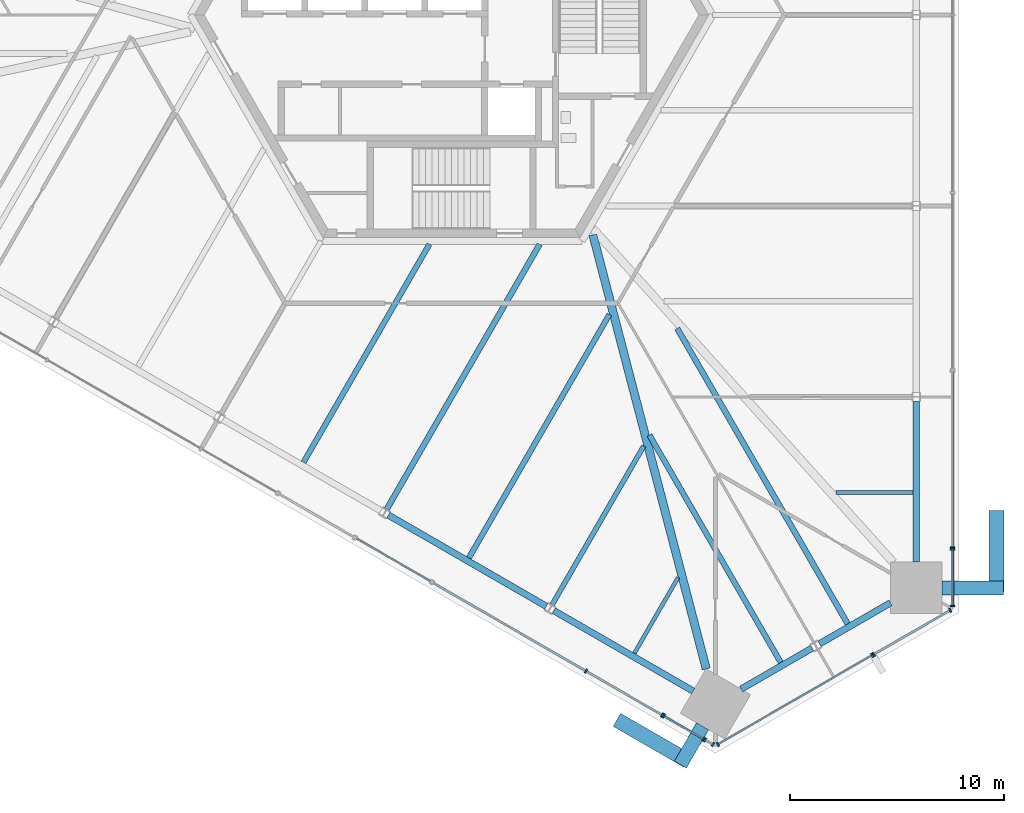
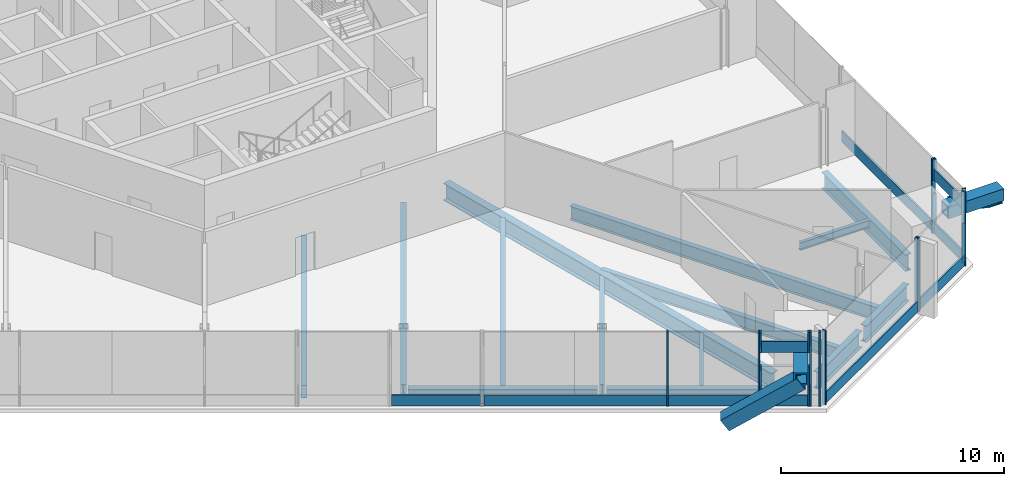
# One storey, part 4 of 22: 31 members, 14 beams, 10 elements without a shape of their own.
"""IFC4 building model written with IfcOpenShell, lengths in metres."""

from ifc_helpers import new_model, si_unit, direction, frame, origin, origin_2d, place, context, subcontext, project, spatial, rectangle, hollow_rectangle, i_section, extrude, source, transform, mapped, material, material_profile, profile_set, type_object, element, aggregate, save


model = new_model("IFC4")

# Units and contexts
model_context = context("Model", 3, precision=1e-05, world=origin(), true_north=direction((0.0, 1.0)))
body_context = subcontext(model_context, "Body", "Model", "MODEL_VIEW")
ifc_project = project(units=[si_unit("LENGTHUNIT", "METRE"), si_unit("AREAUNIT", "SQUARE_METRE"), si_unit("VOLUMEUNIT", "CUBIC_METRE"), si_unit("PLANEANGLEUNIT", "RADIAN"), si_unit("MASSUNIT", "GRAM", prefix="KILO")], contexts=[model_context])

# Site, building, storey
site_placement = place(None, origin())
site = spatial("IfcSite", under=ifc_project, at=site_placement, CompositionType="ELEMENT")
building_placement = place(site_placement, origin())
building = spatial("IfcBuilding", under=site, at=building_placement, Name="Triune Harvest Tower", CompositionType="ELEMENT")
storey_placement = place(building_placement, frame((0.0, 0.0, 50.39990234375)))
storey = spatial("IfcBuildingStorey", under=building, at=storey_placement, Name="L11", CompositionType="ELEMENT", Elevation=50.39990234375)

# Curtain wall, member
ifc_material_1 = material(Name="Aluminium bronze anodised", Category="aluminium")
curtain_wall_type_1 = type_object("IfcCurtainWallType", Name="CW-8 Farm floor curtain wall with insulated spandrel infill", PredefinedType="NOTDEFINED", material=ifc_material_1)
curtain_wall_1_placement = place(storey_placement, origin())
curtain_wall_1 = element("IfcCurtainWall", 1, at=curtain_wall_1_placement, inside=storey, type_object=curtain_wall_type_1, Name="CW-8 B1-F1 L11 run 201")
ifc_material_2 = material(Name="Aluminium bronze anodised", Category="aluminium")
ifc_material_profile_1 = material_profile(ifc_material_2, rectangle(XDim=0.090087890625, YDim=0.60009765625, at=origin_2d()), Name="TR-3 transom 90 x 600")
ifc_profile_set_1 = profile_set([ifc_material_profile_1], Name="Aluminium bronze anodised")
member_type_1 = type_object("IfcMemberType", Name="TR-3 transom 90 x 600", PredefinedType="USERDEFINED", material=ifc_profile_set_1)
member_1_placement = place(storey_placement, frame((23.371337890625, -24.801513671875, 0.300048828125), z_axis=(0.0, 1.0, 0.0), x_axis=(-1.0, 0.0, 0.0)))
member_1 = element("IfcMember", 2, at=member_1_placement, type_object=member_type_1, Name="CW-8 transom B1-F1 201.1", ObjectType="TRANSOM", PredefinedType="USERDEFINED", context=body_context, shape_type="SweptSolid", body=[
    extrude(rectangle(XDim=0.090087890625, YDim=0.60009765625, at=origin_2d()), origin(), (0.0, 0.0, 1.0), 8.134033203125),
])

# Beams
ifc_material_3 = material(Name="Steel ASTM A992 Gr 50", Category="steel")
ifc_material_profile_2 = material_profile(ifc_material_3, i_section(OverallWidth=0.383544921875, OverallDepth=0.9423828125, WebThickness=0.022216796875, FlangeThickness=0.039794921875, at=origin_2d()), Name="W36x232")
ifc_profile_set_2 = profile_set([ifc_material_profile_2], Name="Steel ASTM A992 Gr 50")
beam_type_1 = type_object("IfcBeamType", Name="HG-1 Hip girder W36x232", PredefinedType="BEAM", material=ifc_profile_set_2)
shared_shape_1 = source(origin(), body_context, "Body", "SweptSolid", [
    extrude(i_section(OverallWidth=0.383544921875, OverallDepth=0.9423828125, WebThickness=0.022216796875, FlangeThickness=0.039794921875, at=origin_2d()), origin(), (0.0, 0.0, 1.0), 20.931884765625),
])
beam_1_placement = place(storey_placement, frame((11.8828125, -30.50830078125, -0.671142578125), z_axis=(-0.252690148393, 0.967547254094, 0.0), x_axis=(-0.967547254094, -0.252690148393, 0.0)))
element("IfcBeam", 3, at=beam_1_placement, inside=storey, type_object=beam_type_1, Name="beam/L11/HG6", PredefinedType="BEAM", context=body_context, shape_type="MappedRepresentation", body=[
    mapped(shared_shape_1, transform((0.0, 0.0, 0.0), scale=1.0)),
])
ifc_material_4 = material(Name="Steel ASTM A992 Gr 50", Category="steel")
ifc_material_profile_3 = material_profile(ifc_material_4, i_section(OverallWidth=0.2666015625, OverallDepth=0.7568359375, WebThickness=0.013916015625, FlangeThickness=0.019287109375, at=origin_2d()), Name="W30x108")
ifc_profile_set_3 = profile_set([ifc_material_profile_3], Name="Steel ASTM A992 Gr 50")
beam_type_2 = type_object("IfcBeamType", Name="JT-5 Floor joist W30x108", PredefinedType="JOIST", material=ifc_profile_set_3)
shared_shape_2 = source(origin(), body_context, "Body", "SweptSolid", [
    extrude(i_section(OverallWidth=0.2666015625, OverallDepth=0.7568359375, WebThickness=0.013916015625, FlangeThickness=0.019287109375, at=origin_2d()), origin(), (0.0, 0.0, 1.0), 14.2685546875),
])
beam_2_placement = place(storey_placement, frame((-3.02197265625, -23.053955078125, -0.578369140625), z_axis=(0.499999916269, 0.866025452127, 0.0), x_axis=(-0.866025452127, 0.499999916269, 0.0)))
element("IfcBeam", 4, at=beam_2_placement, inside=storey, type_object=beam_type_2, Name="beam/L11/JT34", PredefinedType="JOIST", context=body_context, shape_type="MappedRepresentation", body=[
    mapped(shared_shape_2, transform((0.0, 0.0, 0.0), scale=1.0)),
])
ifc_material_5 = material(Name="Steel ASTM A992 Gr 50", Category="steel")
ifc_material_profile_4 = material_profile(ifc_material_5, i_section(OverallWidth=0.22900390625, OverallDepth=0.612060546875, WebThickness=0.011962890625, FlangeThickness=0.01953125, at=origin_2d()), Name="W24x84")
ifc_profile_set_4 = profile_set([ifc_material_profile_4], Name="Steel ASTM A992 Gr 50")
beam_type_3 = type_object("IfcBeamType", Name="JT-3 Floor joist W24x84", PredefinedType="JOIST", material=ifc_profile_set_4)
shared_shape_3 = source(origin(), body_context, "Body", "SweptSolid", [
    extrude(i_section(OverallWidth=0.22900390625, OverallDepth=0.612060546875, WebThickness=0.011962890625, FlangeThickness=0.01953125, at=origin_2d()), origin(), (0.0, 0.0, 1.0), 8.54736328125),
])
beam_3_placement = place(storey_placement, frame((4.6943359375, -27.509033203125, -0.506103515625), z_axis=(0.499994426748, 0.866028621479, 0.0), x_axis=(-0.866028621479, 0.499994426748, 0.0)))
element("IfcBeam", 5, at=beam_3_placement, inside=storey, type_object=beam_type_3, Name="beam/L11/JT36", PredefinedType="JOIST", context=body_context, shape_type="MappedRepresentation", body=[
    mapped(shared_shape_3, transform((0.0, 0.0, 0.0), scale=1.0)),
])
ifc_material_6 = material(Name="Steel ASTM A992 Gr 50", Category="steel")
ifc_material_profile_5 = material_profile(ifc_material_6, i_section(OverallWidth=0.3046875, OverallDepth=0.914306640625, WebThickness=0.0166015625, FlangeThickness=0.02587890625, at=origin_2d()), Name="W36x160")
ifc_profile_set_5 = profile_set([ifc_material_profile_5], Name="Steel ASTM A992 Gr 50")
beam_type_4 = type_object("IfcBeamType", Name="SB-1 Spandrel beam W36x160", PredefinedType="SPANDREL", material=ifc_profile_set_5)
shared_shape_4 = source(origin(), body_context, "Body", "SweptSolid", [
    extrude(i_section(OverallWidth=0.3046875, OverallDepth=0.914306640625, WebThickness=0.0166015625, FlangeThickness=0.02587890625, at=origin_2d()), origin(), (0.0, 0.0, 1.0), 7.508056640625),
])
beam_4_placement = place(storey_placement, frame((21.679443359375, -25.530029296875, -0.656982421875), z_axis=(0.0, 1.0, 0.0), x_axis=(-1.0, 0.0, 0.0)))
element("IfcBeam", 6, at=beam_4_placement, inside=storey, type_object=beam_type_4, Name="beam/L11/SB1", PredefinedType="SPANDREL", context=body_context, shape_type="MappedRepresentation", body=[
    mapped(shared_shape_4, transform((0.0, 0.0, 0.0), scale=1.0)),
])
shared_shape_5 = source(origin(), body_context, "Body", "SweptSolid", [
    extrude(i_section(OverallWidth=0.3046875, OverallDepth=0.914306640625, WebThickness=0.0166015625, FlangeThickness=0.02587890625, at=origin_2d()), origin(), (0.0, 0.0, 1.0), 8.506103515625),
])
beam_5_placement = place(storey_placement, frame((-2.948486328125, -23.3310546875, -0.656982421875), z_axis=(0.866030246746, -0.49999161165, 0.0), x_axis=(0.49999161165, 0.866030246746, 0.0)))
element("IfcBeam", 7, at=beam_5_placement, inside=storey, type_object=beam_type_4, Name="beam/L11/SB21", PredefinedType="SPANDREL", context=body_context, shape_type="MappedRepresentation", body=[
    mapped(shared_shape_5, transform((0.0, 0.0, 0.0), scale=1.0)),
])
shared_shape_6 = source(origin(), body_context, "Body", "SweptSolid", [
    extrude(i_section(OverallWidth=0.3046875, OverallDepth=0.914306640625, WebThickness=0.0166015625, FlangeThickness=0.02587890625, at=origin_2d()), origin(), (0.0, 0.0, 1.0), 3.822265625),
])
beam_6_placement = place(storey_placement, frame((17.169189453125, -29.333984375, -0.656982421875), z_axis=(0.866033487859, 0.499985997711, 0.0), x_axis=(-0.499985997711, 0.866033487859, 0.0)))
element("IfcBeam", 8, at=beam_6_placement, inside=storey, type_object=beam_type_4, Name="beam/L11/SB24", PredefinedType="SPANDREL", context=body_context, shape_type="MappedRepresentation", body=[
    mapped(shared_shape_6, transform((0.0, 0.0, 0.0), scale=1.0)),
])
shared_shape_7 = source(origin(), body_context, "Body", "SweptSolid", [
    extrude(i_section(OverallWidth=0.3046875, OverallDepth=0.914306640625, WebThickness=0.0166015625, FlangeThickness=0.02587890625, at=origin_2d()), origin(), (0.0, 0.0, 1.0), 3.822509765625),
])
beam_7_placement = place(storey_placement, frame((13.509033203125, -31.447265625, -0.656982421875), z_axis=(0.866005830769, 0.500033899925, 0.0), x_axis=(-0.500033899925, 0.866005830769, 0.0)))
element("IfcBeam", 9, at=beam_7_placement, inside=storey, type_object=beam_type_4, Name="beam/L11/SB23", PredefinedType="SPANDREL", context=body_context, shape_type="MappedRepresentation", body=[
    mapped(shared_shape_7, transform((0.0, 0.0, 0.0), scale=1.0)),
])
shared_shape_8 = source(origin(), body_context, "Body", "SweptSolid", [
    extrude(i_section(OverallWidth=0.3046875, OverallDepth=0.914306640625, WebThickness=0.0166015625, FlangeThickness=0.02587890625, at=origin_2d()), origin(), (0.0, 0.0, 1.0), 7.50830078125),
])
beam_8_placement = place(storey_placement, frame((4.767578125, -27.785888671875, -0.656982421875), z_axis=(0.866027474485, -0.499996413425, 0.0), x_axis=(0.499996413425, 0.866027474485, 0.0)))
element("IfcBeam", 10, at=beam_8_placement, inside=storey, type_object=beam_type_4, Name="beam/L11/SB22", PredefinedType="SPANDREL", context=body_context, shape_type="MappedRepresentation", body=[
    mapped(shared_shape_8, transform((0.0, 0.0, 0.0), scale=1.0)),
])
ifc_material_7 = material(Name="Steel ASTM A992 Gr 50", Category="steel")
ifc_material_profile_6 = material_profile(ifc_material_7, i_section(OverallWidth=0.180908203125, OverallDepth=0.41650390625, WebThickness=0.010986328125, FlangeThickness=0.01806640625, at=origin_2d()), Name="W16x57")
ifc_profile_set_6 = profile_set([ifc_material_profile_6], Name="Steel ASTM A992 Gr 50")
beam_type_5 = type_object("IfcBeamType", Name="JT-1 Floor joist W16x57", PredefinedType="JOIST", material=ifc_profile_set_6)
shared_shape_9 = source(origin(), body_context, "Body", "SweptSolid", [
    extrude(i_section(OverallWidth=0.180908203125, OverallDepth=0.41650390625, WebThickness=0.010986328125, FlangeThickness=0.01806640625, at=origin_2d()), origin(), (0.0, 0.0, 1.0), 3.599365234375),
])
beam_9_placement = place(storey_placement, frame((21.527099609375, -22.27490234375, -0.408203125), z_axis=(-1.0, 0.0, 0.0), x_axis=(0.0, -1.0, 0.0)))
element("IfcBeam", 11, at=beam_9_placement, inside=storey, type_object=beam_type_5, Name="beam/L11/JT1", PredefinedType="JOIST", context=body_context, shape_type="MappedRepresentation", body=[
    mapped(shared_shape_9, transform((0.0, 0.0, 0.0), scale=1.0)),
])
ifc_material_8 = material(Name="Steel ASTM A992 Gr 50", Category="steel")
ifc_material_profile_7 = material_profile(ifc_material_8, i_section(OverallWidth=0.253662109375, OverallDepth=0.683349609375, WebThickness=0.012451171875, FlangeThickness=0.01904296875, at=origin_2d()), Name="W27x94")
ifc_profile_set_7 = profile_set([ifc_material_profile_7], Name="Steel ASTM A992 Gr 50")
beam_type_6 = type_object("IfcBeamType", Name="JT-4 Floor joist W27x94", PredefinedType="JOIST", material=ifc_profile_set_7)
shared_shape_10 = source(origin(), body_context, "Body", "SweptSolid", [
    extrude(i_section(OverallWidth=0.253662109375, OverallDepth=0.683349609375, WebThickness=0.012451171875, FlangeThickness=0.01904296875, at=origin_2d()), origin(), (0.0, 0.0, 1.0), 13.110107421875),
])
beam_10_placement = place(storey_placement, frame((0.810791015625, -25.325439453125, -0.54150390625), z_axis=(0.500012613137, 0.866018121464, 0.0), x_axis=(-0.866018121464, 0.500012613137, 0.0)))
element("IfcBeam", 12, at=beam_10_placement, inside=storey, type_object=beam_type_6, Name="beam/L11/JT35", PredefinedType="JOIST", context=body_context, shape_type="MappedRepresentation", body=[
    mapped(shared_shape_10, transform((0.0, 0.0, 0.0), scale=1.0)),
])
shared_shape_11 = source(origin(), body_context, "Body", "SweptSolid", [
    extrude(i_section(OverallWidth=0.180908203125, OverallDepth=0.41650390625, WebThickness=0.010986328125, FlangeThickness=0.01806640625, at=origin_2d()), origin(), (0.0, 0.0, 1.0), 4.08642578125),
])
beam_11_placement = place(storey_placement, frame((8.527099609375, -29.780517578125, -0.408203125), z_axis=(0.500013794443, 0.866017439413, 0.0), x_axis=(-0.866017439413, 0.500013794443, 0.0)))
element("IfcBeam", 13, at=beam_11_placement, inside=storey, type_object=beam_type_5, Name="beam/L11/JT37", PredefinedType="JOIST", context=body_context, shape_type="MappedRepresentation", body=[
    mapped(shared_shape_11, transform((0.0, 0.0, 0.0), scale=1.0)),
])
shared_shape_12 = source(origin(), body_context, "Body", "SweptSolid", [
    extrude(i_section(OverallWidth=0.253662109375, OverallDepth=0.683349609375, WebThickness=0.012451171875, FlangeThickness=0.01904296875, at=origin_2d()), origin(), (0.0, 0.0, 1.0), 12.2509765625),
])
beam_12_placement = place(storey_placement, frame((15.3564453125, -30.20458984375, -0.54150390625), z_axis=(-0.500001335473, 0.866024632748, 0.0), x_axis=(-0.866024632748, -0.500001335473, 0.0)))
element("IfcBeam", 14, at=beam_12_placement, inside=storey, type_object=beam_type_6, Name="beam/L11/JT38", PredefinedType="JOIST", context=body_context, shape_type="MappedRepresentation", body=[
    mapped(shared_shape_12, transform((0.0, 0.0, 0.0), scale=1.0)),
])
shared_shape_13 = source(origin(), body_context, "Body", "SweptSolid", [
    extrude(i_section(OverallWidth=0.2666015625, OverallDepth=0.7568359375, WebThickness=0.013916015625, FlangeThickness=0.019287109375, at=origin_2d()), origin(), (0.0, 0.0, 1.0), 15.90771484375),
])
beam_13_placement = place(storey_placement, frame((18.479736328125, -28.4013671875, -0.578369140625), z_axis=(-0.499996565981, 0.866027386407, 0.0), x_axis=(-0.866027386407, -0.499996565981, 0.0)))
element("IfcBeam", 15, at=beam_13_placement, inside=storey, type_object=beam_type_2, Name="beam/L11/JT39", PredefinedType="JOIST", context=body_context, shape_type="MappedRepresentation", body=[
    mapped(shared_shape_13, transform((0.0, 0.0, 0.0), scale=1.0)),
])
shared_shape_14 = source(origin(), body_context, "Body", "SweptSolid", [
    extrude(i_section(OverallWidth=0.253662109375, OverallDepth=0.683349609375, WebThickness=0.012451171875, FlangeThickness=0.01904296875, at=origin_2d()), origin(), (0.0, 0.0, 1.0), 11.74755859375),
])
beam_14_placement = place(storey_placement, frame((-6.905517578125, -20.87060546875, -0.54150390625), z_axis=(0.500003693016, 0.86602327161, 0.0), x_axis=(-0.86602327161, 0.500003693016, 0.0)))
element("IfcBeam", 16, at=beam_14_placement, inside=storey, type_object=beam_type_6, Name="beam/L11/JT33", PredefinedType="JOIST", context=body_context, shape_type="MappedRepresentation", body=[
    mapped(shared_shape_14, transform((0.0, 0.0, 0.0), scale=1.0)),
])

# Members
ifc_material_9 = material(Name="Steel ASTM A572 Gr 50", Category="steel")
ifc_material_profile_8 = material_profile(ifc_material_9, hollow_rectangle(XDim=0.699951171875, YDim=0.699951171875, WallThickness=0.0400390625, at=origin_2d()), Name="Box 700x700x40")
ifc_profile_set_8 = profile_set([ifc_material_profile_8], Name="Steel ASTM A572 Gr 50")
member_type_2 = type_object("IfcMemberType", Name="BR-1 Brace Box 700x700x40", PredefinedType="BRACE", material=ifc_profile_set_8)
shared_shape_15 = source(origin(), body_context, "Body", "SweptSolid", [
    extrude(hollow_rectangle(XDim=0.699951171875, YDim=0.699951171875, WallThickness=0.0400390625, at=origin_2d()), origin(), (0.0, 0.0, 1.0), 4.109375),
])
for number, where, z_axis, x_axis, name in (
    (17, (25.42138671875, -23.3154296875, 0.0), (0.0, -0.830924343652, 0.556385419584), (1.0, 0.0, 0.0), "brace/B1-F1/d2/9"),
    (18, (7.881103515625, -32.98046875, 0.0), (0.719594964272, -0.415466280148, 0.556390921434), (0.500007161152, 0.866021269252, 0.0), "brace/B1-F5/d1/9"),
):
    element("IfcMember", number, at=place(storey_placement, frame(where, z_axis=z_axis, x_axis=x_axis)), inside=storey, type_object=member_type_2, Name=name, PredefinedType="BRACE", context=body_context, shape_type="MappedRepresentation", body=[
        mapped(shared_shape_15, transform((0.0, 0.0, 0.0), scale=1.0)),
    ])
ifc_material_10 = material(Name="Steel ASTM A572 Gr 50", Category="steel")
ifc_material_profile_9 = material_profile(ifc_material_10, hollow_rectangle(XDim=0.64990234375, YDim=0.64990234375, WallThickness=0.070068359375, at=origin_2d()), Name="Box 650x650x70")
ifc_profile_set_9 = profile_set([ifc_material_profile_9], Name="Steel ASTM A572 Gr 50")
member_type_3 = type_object("IfcMemberType", Name="BS-1 Brace stub Box 650x650x70", PredefinedType="STRUT", material=ifc_profile_set_9)
shared_shape_16 = source(origin(), body_context, "Body", "SweptSolid", [
    extrude(hollow_rectangle(XDim=0.64990234375, YDim=0.64990234375, WallThickness=0.070068359375, at=origin_2d()), origin(), (0.0, 0.0, 1.0), 2.8720703125),
])
member_2_placement = place(storey_placement, frame((22.87939453125, -26.72998046875, 2.550048828125), z_axis=(1.0, 0.0, 0.0), x_axis=(0.0, 1.0, 0.0)))
element("IfcMember", 19, at=member_2_placement, inside=storey, type_object=member_type_3, Name="brace/B1-F1/stub4", PredefinedType="STRUT", context=body_context, shape_type="MappedRepresentation", body=[
    mapped(shared_shape_16, transform((0.0, 0.0, 0.0), scale=1.0)),
])
shared_shape_17 = source(origin(), body_context, "Body", "SweptSolid", [
    extrude(hollow_rectangle(XDim=0.64990234375, YDim=0.64990234375, WallThickness=0.070068359375, at=origin_2d()), origin(), (0.0, 0.0, 1.0), 2.07177734375),
])
member_3_placement = place(storey_placement, frame((11.708984375, -33.17919921875, 2.550048828125), z_axis=(-0.500004672885, -0.866022705876, 0.0), x_axis=(0.866022705876, -0.500004672885, 0.0)))
element("IfcMember", 20, at=member_3_placement, inside=storey, type_object=member_type_3, Name="brace/B1-F5/stub2", PredefinedType="STRUT", context=body_context, shape_type="MappedRepresentation", body=[
    mapped(shared_shape_17, transform((0.0, 0.0, 0.0), scale=1.0)),
])

# Curtain wall, member
curtain_wall_2_placement = place(storey_placement, origin())
curtain_wall_2 = element("IfcCurtainWall", 21, at=curtain_wall_2_placement, inside=storey, type_object=curtain_wall_type_1, Name="CW-8 B1-F6 L11 run 1001")
shared_shape_18 = source(origin(), body_context, "Body", "SweptSolid", [
    extrude(rectangle(XDim=0.090087890625, YDim=0.60009765625, at=origin_2d()), origin(), (0.0, 0.0, 1.0), 4.037841796875),
])
member_4_placement = place(storey_placement, frame((19.727294921875, -29.810791015625, 0.300048828125), z_axis=(0.866009377985, 0.500027756471, 0.0), x_axis=(-0.500027756471, 0.866009377985, 0.0)))
member_4 = element("IfcMember", 22, at=member_4_placement, type_object=member_type_1, Name="CW-8 transom B1-F6 1001.1", ObjectType="TRANSOM", PredefinedType="USERDEFINED", context=body_context, shape_type="MappedRepresentation", body=[
    mapped(shared_shape_18, transform((0.0, 0.0, 0.0), scale=1.0)),
])

ifc_material_11 = material(Name="Aluminium bronze anodised", Category="aluminium")
curtain_wall_type_2 = type_object("IfcCurtainWallType", Name="CW-3 Farm floor curtain wall", PredefinedType="NOTDEFINED", material=ifc_material_11)
curtain_wall_3_placement = place(storey_placement, origin())
curtain_wall_3 = element("IfcCurtainWall", 23, at=curtain_wall_3_placement, inside=storey, type_object=curtain_wall_type_2, Name="CW-3 B1-F6 L11 run 1")
shared_shape_19 = source(origin(), body_context, "Body", "SweptSolid", [
    extrude(rectangle(XDim=0.090087890625, YDim=0.60009765625, at=origin_2d()), origin(), (0.0, 0.0, 1.0), 8.23583984375),
])
member_5_placement = place(storey_placement, frame((12.456298828125, -34.008544921875, 0.300048828125), z_axis=(0.866021691054, 0.500006430582, 0.0), x_axis=(-0.500006430582, 0.866021691054, 0.0)))
member_5 = element("IfcMember", 24, at=member_5_placement, type_object=member_type_1, Name="CW-3 transom B1-F6 1.1", ObjectType="TRANSOM", PredefinedType="USERDEFINED", context=body_context, shape_type="MappedRepresentation", body=[
    mapped(shared_shape_19, transform((0.0, 0.0, 0.0), scale=1.0)),
])

# Curtain wall, members
curtain_wall_4_placement = place(storey_placement, origin())
curtain_wall_4 = element("IfcCurtainWall", 25, at=curtain_wall_4_placement, inside=storey, type_object=curtain_wall_type_1, Name="CW-8 B1-F1 L11 run 1")
ifc_material_12 = material(Name="Aluminium bronze anodised", Category="aluminium")
ifc_material_profile_10 = material_profile(ifc_material_12, rectangle(XDim=0.199951171875, YDim=0.080078125, at=origin_2d()), Name="MU-3 mullion 80 x 200")
ifc_profile_set_10 = profile_set([ifc_material_profile_10], Name="Aluminium bronze anodised")
member_type_4 = type_object("IfcMemberType", Name="MU-3 mullion 80 x 200", PredefinedType="MULLION", material=ifc_profile_set_10)
shared_shape_20 = source(origin(), body_context, "Body", "SweptSolid", [
    extrude(rectangle(XDim=0.199951171875, YDim=0.080078125, at=origin_2d()), origin(), (0.0, 0.0, 1.0), 2.1650390625),
])
member_6_placement = place(storey_placement, frame((23.371337890625, -27.576904296875, 0.0), z_axis=(0.0, 0.0, 1.0), x_axis=(-1.0, 0.0, 0.0)))
member_6 = element("IfcMember", 26, at=member_6_placement, type_object=member_type_4, Name="CW-8 mullion B1-F1 1.1", PredefinedType="MULLION", context=body_context, shape_type="MappedRepresentation", body=[
    mapped(shared_shape_20, transform((0.0, 0.0, 0.0), scale=1.0)),
])
member_7_placement = place(storey_placement, frame((23.371337890625, -24.92138671875, 0.0), z_axis=(0.0, 0.0, 1.0), x_axis=(-1.0, 0.0, 0.0)))
member_7 = element("IfcMember", 27, at=member_7_placement, type_object=member_type_4, Name="CW-8 mullion B1-F1 1.2", PredefinedType="MULLION", context=body_context, shape_type="MappedRepresentation", body=[
    mapped(shared_shape_20, transform((0.0, 0.0, 0.0), scale=1.0)),
])

curtain_wall_5_placement = place(storey_placement, origin())
curtain_wall_5 = element("IfcCurtainWall", 28, at=curtain_wall_5_placement, inside=storey, type_object=curtain_wall_type_1, Name="CW-8 B1-F5 L11 run 401")
member_8_placement = place(storey_placement, frame((9.896728515625, -32.700927734375, 0.0), z_axis=(0.0, 0.0, 1.0), x_axis=(0.499991148709, 0.86603051402, 0.0)))
member_8 = element("IfcMember", 29, at=member_8_placement, type_object=member_type_4, Name="CW-8 mullion B1-F5 401.1", PredefinedType="MULLION", context=body_context, shape_type="MappedRepresentation", body=[
    mapped(shared_shape_20, transform((0.0, 0.0, 0.0), scale=1.0)),
])
member_9_placement = place(storey_placement, frame((11.761962890625, -33.777587890625, 0.0), z_axis=(0.0, 0.0, 1.0), x_axis=(0.499991148709, 0.86603051402, 0.0)))
member_9 = element("IfcMember", 30, at=member_9_placement, type_object=member_type_4, Name="CW-8 mullion B1-F5 401.2", PredefinedType="MULLION", context=body_context, shape_type="MappedRepresentation", body=[
    mapped(shared_shape_20, transform((0.0, 0.0, 0.0), scale=1.0)),
])

# Member
shared_shape_21 = source(origin(), body_context, "Body", "SweptSolid", [
    extrude(rectangle(XDim=0.090087890625, YDim=0.60009765625, at=origin_2d()), origin(), (0.0, 0.0, 1.0), 2.575439453125),
])
member_10_placement = place(storey_placement, frame((23.371337890625, -27.536865234375, 0.300048828125), z_axis=(0.0, 1.0, 0.0), x_axis=(-1.0, 0.0, 0.0)))
member_10 = element("IfcMember", 31, at=member_10_placement, type_object=member_type_1, Name="CW-8 transom B1-F1 1.1", ObjectType="TRANSOM", PredefinedType="USERDEFINED", context=body_context, shape_type="MappedRepresentation", body=[
    mapped(shared_shape_21, transform((0.0, 0.0, 0.0), scale=1.0)),
])

aggregate(curtain_wall_4, [member_6, member_7, member_10])

# Curtain wall, members
curtain_wall_6_placement = place(storey_placement, origin())
curtain_wall_6 = element("IfcCurtainWall", 32, at=curtain_wall_6_placement, inside=storey, type_object=curtain_wall_type_2, Name="CW-3 B1-F1 L11 run 101")
member_11_placement = place(storey_placement, frame((23.371337890625, -27.536865234375, 3.235107421875), z_axis=(0.0, 1.0, 0.0), x_axis=(-1.0, 0.0, 0.0)))
member_11 = element("IfcMember", 33, at=member_11_placement, type_object=member_type_1, Name="CW-3 transom B1-F1 101.1", ObjectType="TRANSOM", PredefinedType="USERDEFINED", context=body_context, shape_type="MappedRepresentation", body=[
    mapped(shared_shape_21, transform((0.0, 0.0, 0.0), scale=1.0)),
])
shared_shape_22 = source(origin(), body_context, "Body", "SweptSolid", [
    extrude(rectangle(XDim=0.199951171875, YDim=0.080078125, at=origin_2d()), origin(), (0.0, 0.0, 1.0), 1.114990234375),
])
member_12_placement = place(storey_placement, frame((23.371337890625, -27.576904296875, 2.93505859375), z_axis=(0.0, 0.0, 1.0), x_axis=(-1.0, 0.0, 0.0)))
member_12 = element("IfcMember", 34, at=member_12_placement, type_object=member_type_4, Name="CW-3 mullion B1-F1 101.1", PredefinedType="MULLION", context=body_context, shape_type="MappedRepresentation", body=[
    mapped(shared_shape_22, transform((0.0, 0.0, 0.0), scale=1.0)),
])
member_13_placement = place(storey_placement, frame((23.371337890625, -24.92138671875, 2.93505859375), z_axis=(0.0, 0.0, 1.0), x_axis=(-1.0, 0.0, 0.0)))
member_13 = element("IfcMember", 35, at=member_13_placement, type_object=member_type_4, Name="CW-3 mullion B1-F1 101.2", PredefinedType="MULLION", context=body_context, shape_type="MappedRepresentation", body=[
    mapped(shared_shape_22, transform((0.0, 0.0, 0.0), scale=1.0)),
])
aggregate(curtain_wall_6, [member_12, member_13, member_11])

curtain_wall_7_placement = place(storey_placement, origin())
curtain_wall_7 = element("IfcCurtainWall", 36, at=curtain_wall_7_placement, inside=storey, type_object=curtain_wall_type_2, Name="CW-3 B1-F5 L11 run 501")
member_14_placement = place(storey_placement, frame((9.896728515625, -32.700927734375, 2.93505859375), z_axis=(0.0, 0.0, 1.0), x_axis=(0.499991148709, 0.86603051402, 0.0)))
member_14 = element("IfcMember", 37, at=member_14_placement, type_object=member_type_4, Name="CW-3 mullion B1-F5 501.1", PredefinedType="MULLION", context=body_context, shape_type="MappedRepresentation", body=[
    mapped(shared_shape_22, transform((0.0, 0.0, 0.0), scale=1.0)),
])
member_15_placement = place(storey_placement, frame((11.761962890625, -33.777587890625, 2.93505859375), z_axis=(0.0, 0.0, 1.0), x_axis=(0.499991148709, 0.86603051402, 0.0)))
member_15 = element("IfcMember", 38, at=member_15_placement, type_object=member_type_4, Name="CW-3 mullion B1-F5 501.2", PredefinedType="MULLION", context=body_context, shape_type="MappedRepresentation", body=[
    mapped(shared_shape_22, transform((0.0, 0.0, 0.0), scale=1.0)),
])

# Member
shared_shape_23 = source(origin(), body_context, "Body", "SweptSolid", [
    extrude(rectangle(XDim=0.199951171875, YDim=0.080078125, at=origin_2d()), origin(), (0.0, 0.0, 1.0), 4.050048828125),
])
member_16_placement = place(storey_placement, frame((23.371337890625, -24.84130859375, 0.0), z_axis=(0.0, 0.0, 1.0), x_axis=(-1.0, 0.0, 0.0)))
member_16 = element("IfcMember", 39, at=member_16_placement, type_object=member_type_4, Name="CW-8 mullion B1-F1 201.1", PredefinedType="MULLION", context=body_context, shape_type="MappedRepresentation", body=[
    mapped(shared_shape_23, transform((0.0, 0.0, 0.0), scale=1.0)),
])

aggregate(curtain_wall_1, [member_16, member_1])

# Curtain wall, members
curtain_wall_8_placement = place(storey_placement, origin())
curtain_wall_8 = element("IfcCurtainWall", 40, at=curtain_wall_8_placement, inside=storey, type_object=curtain_wall_type_1, Name="CW-8 B1-F5 L11 run 3301")
member_17_placement = place(storey_placement, frame((6.270751953125, -30.607421875, 0.0), z_axis=(0.0, 0.0, 1.0), x_axis=(0.500001700043, 0.866024422262, 0.0)))
member_17 = element("IfcMember", 41, at=member_17_placement, type_object=member_type_4, Name="CW-8 mullion B1-F5 3301.3", PredefinedType="MULLION", context=body_context, shape_type="MappedRepresentation", body=[
    mapped(shared_shape_23, transform((0.0, 0.0, 0.0), scale=1.0)),
])
member_18_placement = place(storey_placement, frame((9.82763671875, -32.660888671875, 0.0), z_axis=(0.0, 0.0, 1.0), x_axis=(0.500001700043, 0.866024422262, 0.0)))
member_18 = element("IfcMember", 42, at=member_18_placement, type_object=member_type_4, Name="CW-8 mullion B1-F5 3301.4", PredefinedType="MULLION", context=body_context, shape_type="MappedRepresentation", body=[
    mapped(shared_shape_23, transform((0.0, 0.0, 0.0), scale=1.0)),
])

curtain_wall_9_placement = place(storey_placement, origin())
curtain_wall_9 = element("IfcCurtainWall", 43, at=curtain_wall_9_placement, inside=storey, type_object=curtain_wall_type_2, Name="CW-3 B1-F5 L11 run 601")
member_19_placement = place(storey_placement, frame((11.831298828125, -33.817626953125, 0.0), z_axis=(0.0, 0.0, 1.0), x_axis=(0.499975448906, 0.866039577901, 0.0)))
member_19 = element("IfcMember", 44, at=member_19_placement, type_object=member_type_4, Name="CW-3 mullion B1-F5 601.1", PredefinedType="MULLION", context=body_context, shape_type="MappedRepresentation", body=[
    mapped(shared_shape_23, transform((0.0, 0.0, 0.0), scale=1.0)),
])
member_20_placement = place(storey_placement, frame((12.196533203125, -34.028564453125, 0.0), z_axis=(0.0, 0.0, 1.0), x_axis=(0.499975448906, 0.866039577901, 0.0)))
member_20 = element("IfcMember", 45, at=member_20_placement, type_object=member_type_4, Name="CW-3 mullion B1-F5 601.2", PredefinedType="MULLION", context=body_context, shape_type="MappedRepresentation", body=[
    mapped(shared_shape_23, transform((0.0, 0.0, 0.0), scale=1.0)),
])
aggregate(curtain_wall_9, [member_19, member_20])

# Member
member_21_placement = place(storey_placement, frame((12.421630859375, -34.028564453125, 0.0), z_axis=(0.0, 0.0, 1.0), x_axis=(-0.500000961283, 0.866024848787, 0.0)))
member_21 = element("IfcMember", 46, at=member_21_placement, type_object=member_type_4, Name="CW-3 mullion B1-F6 1.1", PredefinedType="MULLION", context=body_context, shape_type="MappedRepresentation", body=[
    mapped(shared_shape_23, transform((0.0, 0.0, 0.0), scale=1.0)),
])

member_22_placement = place(storey_placement, frame((19.623291015625, -29.87060546875, 0.0), z_axis=(0.0, 0.0, 1.0), x_axis=(-0.500000961283, 0.866024848787, 0.0)))
member_22 = element("IfcMember", 47, at=member_22_placement, type_object=member_type_4, Name="CW-3 mullion B1-F6 1.3", PredefinedType="MULLION", context=body_context, shape_type="MappedRepresentation", body=[
    mapped(shared_shape_23, transform((0.0, 0.0, 0.0), scale=1.0)),
])

aggregate(curtain_wall_3, [member_21, member_22, member_5])

member_23_placement = place(storey_placement, frame((19.692626953125, -29.830810546875, 0.0), z_axis=(0.0, 0.0, 1.0), x_axis=(-0.499994222841, 0.866028739203, 0.0)))
member_23 = element("IfcMember", 48, at=member_23_placement, type_object=member_type_4, Name="CW-8 mullion B1-F6 1001.1", PredefinedType="MULLION", context=body_context, shape_type="MappedRepresentation", body=[
    mapped(shared_shape_23, transform((0.0, 0.0, 0.0), scale=1.0)),
])

member_24_placement = place(storey_placement, frame((23.2587890625, -27.771728515625, 0.0), z_axis=(0.0, 0.0, 1.0), x_axis=(-0.499994222841, 0.866028739203, 0.0)))
member_24 = element("IfcMember", 49, at=member_24_placement, type_object=member_type_4, Name="CW-8 mullion B1-F6 1001.2", PredefinedType="MULLION", context=body_context, shape_type="MappedRepresentation", body=[
    mapped(shared_shape_23, transform((0.0, 0.0, 0.0), scale=1.0)),
])

aggregate(curtain_wall_2, [member_23, member_24, member_4])

shared_shape_24 = source(origin(), body_context, "Body", "SweptSolid", [
    extrude(rectangle(XDim=0.090087890625, YDim=0.60009765625, at=origin_2d()), origin(), (0.0, 0.0, 1.0), 8.173828125),
])
member_25_placement = place(storey_placement, frame((-0.842529296875, -26.50048828125, 0.300048828125), z_axis=(0.866028909405, -0.499993928037, 0.0), x_axis=(0.499993928037, 0.866028909405, 0.0)))
member_25 = element("IfcMember", 50, at=member_25_placement, type_object=member_type_1, Name="CW-8 transom B1-F5 3301.1", ObjectType="TRANSOM", PredefinedType="USERDEFINED", context=body_context, shape_type="MappedRepresentation", body=[
    mapped(shared_shape_24, transform((0.0, 0.0, 0.0), scale=1.0)),
])

# Curtain wall, member
curtain_wall_10_placement = place(storey_placement, origin())
curtain_wall_10 = element("IfcCurtainWall", 51, at=curtain_wall_10_placement, inside=storey, type_object=curtain_wall_type_2, Name="CW-3 B1-F5 L11 run 2301")
shared_shape_25 = source(origin(), body_context, "Body", "SweptSolid", [
    extrude(rectangle(XDim=0.090087890625, YDim=0.60009765625, at=origin_2d()), origin(), (0.0, 0.0, 1.0), 3.98681640625),
])
member_26_placement = place(storey_placement, frame((-4.433837890625, -24.427001953125, 0.300048828125), z_axis=(0.866022420826, -0.500005166599, 0.0), x_axis=(0.500005166599, 0.866022420826, 0.0)))
member_26 = element("IfcMember", 52, at=member_26_placement, type_object=member_type_1, Name="CW-3 transom B1-F5 2301.1", ObjectType="TRANSOM", PredefinedType="USERDEFINED", context=body_context, shape_type="MappedRepresentation", body=[
    mapped(shared_shape_25, transform((0.0, 0.0, 0.0), scale=1.0)),
])
aggregate(curtain_wall_10, [member_26])

# Member
shared_shape_26 = source(origin(), body_context, "Body", "SweptSolid", [
    extrude(rectangle(XDim=0.090087890625, YDim=0.60009765625, at=origin_2d()), origin(), (0.0, 0.0, 1.0), 4.027099609375),
])
member_27_placement = place(storey_placement, frame((6.305419921875, -30.62744140625, 0.300048828125), z_axis=(0.866037179922, -0.499979602577, 0.0), x_axis=(0.499979602577, 0.866037179922, 0.0)))
member_27 = element("IfcMember", 53, at=member_27_placement, type_object=member_type_1, Name="CW-8 transom B1-F5 3301.2", ObjectType="TRANSOM", PredefinedType="USERDEFINED", context=body_context, shape_type="MappedRepresentation", body=[
    mapped(shared_shape_26, transform((0.0, 0.0, 0.0), scale=1.0)),
])

aggregate(curtain_wall_8, [member_17, member_18, member_25, member_27])

shared_shape_27 = source(origin(), body_context, "Body", "SweptSolid", [
    extrude(rectangle(XDim=0.090087890625, YDim=0.60009765625, at=origin_2d()), origin(), (0.0, 0.0, 1.0), 2.07373046875),
])
member_28_placement = place(storey_placement, frame((9.931396484375, -32.720947265625, 0.300048828125), z_axis=(0.866024821615, -0.500001008347, 0.0), x_axis=(0.500001008347, 0.866024821615, 0.0)))
member_28 = element("IfcMember", 54, at=member_28_placement, type_object=member_type_1, Name="CW-8 transom B1-F5 401.1", ObjectType="TRANSOM", PredefinedType="USERDEFINED", context=body_context, shape_type="MappedRepresentation", body=[
    mapped(shared_shape_27, transform((0.0, 0.0, 0.0), scale=1.0)),
])

aggregate(curtain_wall_5, [member_8, member_9, member_28])

member_29_placement = place(storey_placement, frame((9.931396484375, -32.720947265625, 3.235107421875), z_axis=(0.866024821615, -0.500001008347, 0.0), x_axis=(0.500001008347, 0.866024821615, 0.0)))
member_29 = element("IfcMember", 55, at=member_29_placement, type_object=member_type_1, Name="CW-3 transom B1-F5 501.1", ObjectType="TRANSOM", PredefinedType="USERDEFINED", context=body_context, shape_type="MappedRepresentation", body=[
    mapped(shared_shape_27, transform((0.0, 0.0, 0.0), scale=1.0)),
])

aggregate(curtain_wall_7, [member_14, member_15, member_29])

save(model, "model.ifc")
